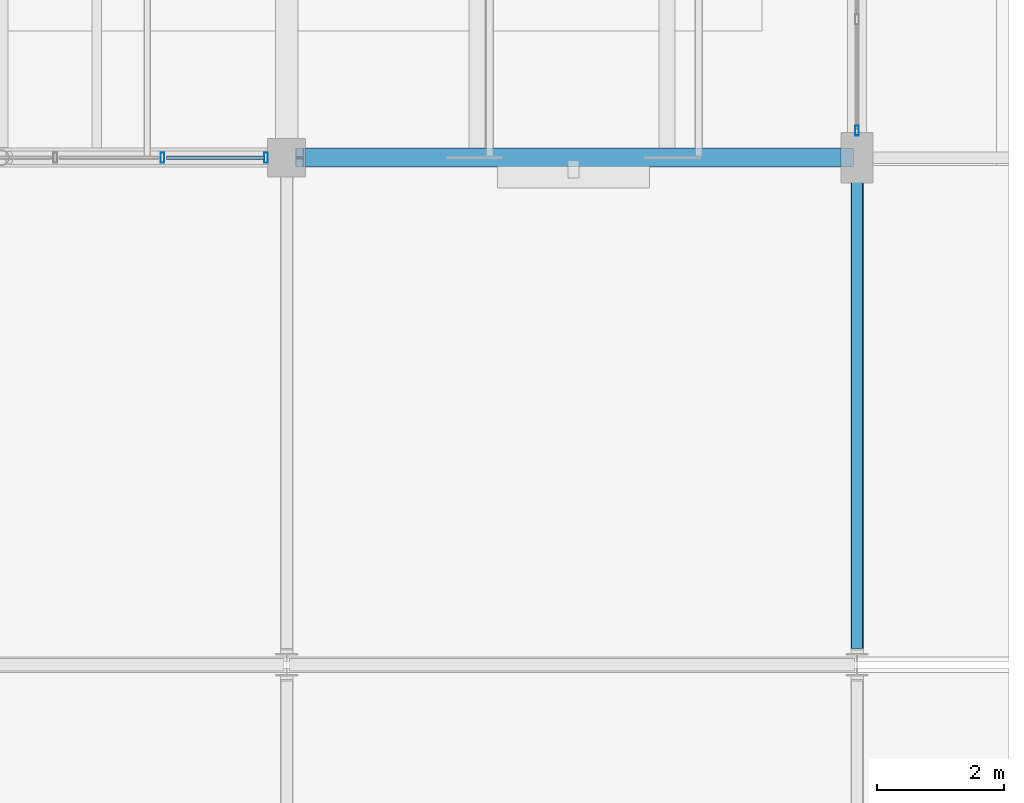
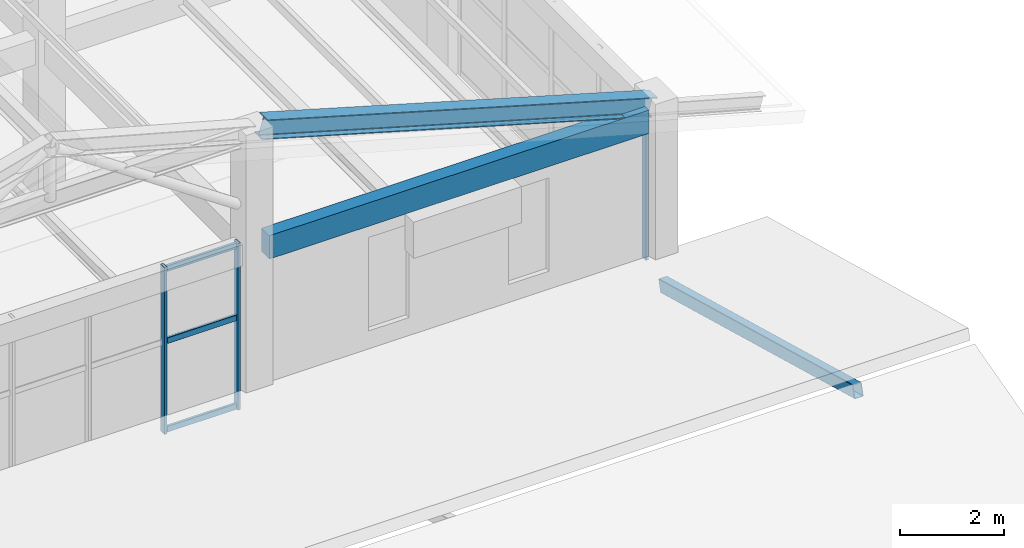
# One storey, part 28 of 58: 7 members, 2 beams, 2 elements without a shape of their own.
"""IFC4 building model written with IfcOpenShell, lengths in metres."""

import ifcopenshell
import ifcopenshell.guid

model = None  # the IFC model being written
_history = None  # IfcOwnerHistory: only IFC2X3 demands one
_inside = {}  # id of a spatial element -> (the spatial element, [elements in it])
_under = {}  # id of a project, library or spatial element -> (it, [spatial elements below it])
_declared = {}  # id of a project -> (the project, [libraries it declares])
_typed = {}  # id of a type object -> (the type object, [elements of that type])
_made_of = {}  # id of a material, layer set ... -> (it, [elements and type objects made of it])


def new_model(schema):
    """Start an empty IFC model of exactly this schema.

    Asked for "IFC4X3", IfcOpenShell would pick the latest addendum, in which some entities
    have other attributes; the version numbers below select the first issue.
    IFC2X3 requires an IfcOwnerHistory on every rooted entity: one is made here for all.
    """
    global model, _history
    if schema == "IFC4X3":
        model = ifcopenshell.file(schema_version=(4, 3, 0, 0))
    else:
        model = ifcopenshell.file(schema=schema)
    _inside.clear()
    _under.clear()
    _declared.clear()
    _typed.clear()
    _made_of.clear()
    _history = None
    if model.schema == "IFC2X3":
        org = make("IfcOrganization", Name="unknown")
        user = make(
            "IfcPersonAndOrganization",
            ThePerson=make("IfcPerson", FamilyName="unknown"),
            TheOrganization=org,
        )
        app = make(
            "IfcApplication",
            ApplicationDeveloper=org,
            Version="unknown",
            ApplicationFullName="unknown",
            ApplicationIdentifier="unknown",
        )
        _history = make(
            "IfcOwnerHistory",
            OwningUser=user,
            OwningApplication=app,
            ChangeAction="ADDED",
            CreationDate=0,
        )
    return model


def make(cls, **values):
    """One entity of the class cls with the attributes given. An attribute that is None is left unset."""
    return model.create_entity(
        cls, **{name: value for name, value in values.items() if value is not None}
    )


def rooted(cls, **values):
    """An entity with a GlobalId (a new one), such as an element, a storey or a relation."""
    return make(cls, GlobalId=ifcopenshell.guid.new(), OwnerHistory=_history, **values)


def si_unit(unit_type, name, prefix=None):
    """IfcSIUnit, for example si_unit("LENGTHUNIT", "METRE", prefix="MILLI")."""
    return make("IfcSIUnit", UnitType=unit_type, Prefix=prefix, Name=name)


def derived_unit(unit_type, elements):
    """IfcDerivedUnit: a product of units, each with its exponent."""
    return make(
        "IfcDerivedUnit",
        Elements=[
            make("IfcDerivedUnitElement", Unit=unit, Exponent=power)
            for unit, power in elements
        ],
        UnitType=unit_type,
    )


def assignment(units):
    """IfcUnitAssignment: the units of a project."""
    return None if units is None else make("IfcUnitAssignment", Units=units)


def point(xyz):
    """IfcCartesianPoint."""
    return None if xyz is None else make("IfcCartesianPoint", Coordinates=xyz)


def direction(xyz):
    """IfcDirection."""
    return None if xyz is None else make("IfcDirection", DirectionRatios=xyz)


def frame(location, z_axis=None, x_axis=None):
    """IfcAxis2Placement3D, a coordinate frame: its origin and axes. An axis left out is left unset."""
    return make(
        "IfcAxis2Placement3D",
        Location=point(location),
        Axis=direction(z_axis),
        RefDirection=direction(x_axis),
    )


def frame_2d(location, x_axis=None):
    """IfcAxis2Placement2D, a coordinate frame in the plane: its origin and x axis."""
    return make(
        "IfcAxis2Placement2D", Location=point(location), RefDirection=direction(x_axis)
    )


def origin():
    """The frame at (0, 0, 0) with its axes left unset."""
    return frame((0.0, 0.0, 0.0))


def origin_2d():
    """The frame at (0, 0) in the plane with its x axis left unset."""
    return frame_2d((0.0, 0.0))


def place(relative_to, where):
    """IfcLocalPlacement: puts the frame where relative to a parent placement (None: the world)."""
    return make(
        "IfcLocalPlacement", PlacementRelTo=relative_to, RelativePlacement=where
    )


def context(
    kind, dimensions, precision=None, world=None, true_north=None, identifier=None
):
    """IfcGeometricRepresentationContext, for example the 3D "Model" context."""
    return make(
        "IfcGeometricRepresentationContext",
        ContextIdentifier=identifier,
        ContextType=kind,
        CoordinateSpaceDimension=dimensions,
        Precision=precision,
        WorldCoordinateSystem=world,
        TrueNorth=true_north,
    )


def subcontext(parent, identifier, kind, view, scale=None):
    """IfcGeometricRepresentationSubContext, for example "Body" below "Model"."""
    return make(
        "IfcGeometricRepresentationSubContext",
        ContextIdentifier=identifier,
        ContextType=kind,
        ParentContext=parent,
        TargetScale=scale,
        TargetView=view,
    )


def project(units=None, contexts=None):
    """IfcProject with its units and contexts."""
    return rooted(
        "IfcProject",
        Name="project",
        RepresentationContexts=contexts,
        UnitsInContext=assignment(units),
    )


def spatial(cls, under=None, at=None, **own):
    """A site, building, storey or space (cls), placed at a placement, below another one or the project."""
    s = rooted(cls, ObjectPlacement=at, **own)
    if under is not None:
        _under.setdefault(under.id(), (under, []))[1].append(s)
    return s


def profile(cls, at=None, kind="AREA", **sizes):
    """A parametric profile (cls). Its sizes go by their IFC names, for example OverallWidth=200.0."""
    return make(cls, ProfileType=kind, Position=at, **sizes)


def rectangle(**sizes):
    """IfcRectangleProfileDef."""
    return profile("IfcRectangleProfileDef", **sizes)


def hollow_rectangle(**sizes):
    """IfcRectangleHollowProfileDef."""
    return profile("IfcRectangleHollowProfileDef", **sizes)


def i_section(**sizes):
    """IfcIShapeProfileDef."""
    return profile("IfcIShapeProfileDef", **sizes)


def extrude(swept, where, along, depth):
    """IfcExtrudedAreaSolid: the profile swept, set in the frame where, extruded along a direction by depth."""
    return make(
        "IfcExtrudedAreaSolid",
        SweptArea=swept,
        Position=where,
        ExtrudedDirection=direction(along),
        Depth=depth,
    )


def shape(context_of_items, identifier, shape_type, items):
    """IfcShapeRepresentation: the items that make up one representation, for example the "Body"."""
    return make(
        "IfcShapeRepresentation",
        ContextOfItems=context_of_items,
        RepresentationIdentifier=identifier,
        RepresentationType=shape_type,
        Items=items,
    )


def material(Name=None, Category=None):
    """IfcMaterial."""
    return make("IfcMaterial", Name=Name, Category=Category)


def material_profile(
    of_material, cross_section, Name=None, Category=None, Priority=None
):
    """IfcMaterialProfile: a cross section and its material."""
    return make(
        "IfcMaterialProfile",
        Name=Name,
        Material=of_material,
        Profile=cross_section,
        Priority=Priority,
        Category=Category,
    )


def profile_set(profiles, Name=None, composite=None):
    """IfcMaterialProfileSet."""
    return make(
        "IfcMaterialProfileSet",
        Name=Name,
        MaterialProfiles=profiles,
        CompositeProfile=composite,
    )


def made_of(thing, what):
    """Note that an element or type object is made of a material, layer set ...; save() writes the relation."""
    if what is not None:
        _made_of.setdefault(what.id(), (what, []))[1].append(thing)
    return thing


def type_object(cls, material=None, **own):
    """A type object (cls), such as IfcWallType, which elements share."""
    return made_of(rooted(cls, **own), material)


def element(
    cls,
    number,
    at=None,
    inside=None,
    cuts=None,
    type_object=None,
    material=None,
    context=None,
    identifier="Body",
    shape_type=None,
    held_by="IfcProductDefinitionShape",
    body=None,
    shapes=None,
    **own,
):
    """One element of the class cls, such as IfcWall. Its Tag is "e" and its number.

    at: its placement. inside: the storey or other place that contains it. cuts: it is an
    opening in that element (IfcRelVoidsElement). A single representation is given by context,
    identifier, shape_type and body (its items); several are given by shapes. held_by: the class
    of the entity that holds the representations. save() writes the other relations.
    """
    e = rooted(cls, Tag="e%d" % number, ObjectPlacement=at, **own)
    if body is not None:
        shapes = [shape(context, identifier, shape_type, body)]
    if shapes is not None:
        e.Representation = make(held_by, Representations=shapes)
    if inside is not None:
        _inside.setdefault(inside.id(), (inside, []))[1].append(e)
    if cuts is not None:
        rooted(
            "IfcRelVoidsElement", RelatingBuildingElement=cuts, RelatedOpeningElement=e
        )
    if type_object is not None:
        _typed.setdefault(type_object.id(), (type_object, []))[1].append(e)
    return made_of(e, material)


def aggregate(whole, parts):
    """IfcRelAggregates: a whole, such as a stair, and the parts it consists of."""
    return rooted("IfcRelAggregates", RelatingObject=whole, RelatedObjects=parts)


def save(model, path):
    """Write the relations noted so far, then the file.

    IfcRelAggregates (storeys below a building ...), IfcRelContainedInSpatialStructure (elements
    in a storey), IfcRelDefinesByType, IfcRelAssociatesMaterial and IfcRelDeclares: one each for
    every whole, place, type object, material and project.
    """
    for whole, parts in _under.values():
        aggregate(whole, parts)
    for where, things in _inside.values():
        rooted(
            "IfcRelContainedInSpatialStructure",
            RelatedElements=things,
            RelatingStructure=where,
        )
    for kind, things in _typed.values():
        rooted("IfcRelDefinesByType", RelatedObjects=things, RelatingType=kind)
    for what, things in _made_of.values():
        rooted("IfcRelAssociatesMaterial", RelatedObjects=things, RelatingMaterial=what)
    for by, libraries in _declared.values():
        rooted("IfcRelDeclares", RelatingContext=by, RelatedDefinitions=libraries)
    model.write(path)


model = new_model("IFC4")

# Units and contexts
model_context = context("Model", 3, precision=1e-05, world=origin(), true_north=direction((0.0, 1.0)))
body_context = subcontext(model_context, "Body", "Model", "MODEL_VIEW")
ifc_project = project(units=[si_unit("LENGTHUNIT", "METRE"), si_unit("AREAUNIT", "SQUARE_METRE"), si_unit("VOLUMEUNIT", "CUBIC_METRE"), si_unit("PLANEANGLEUNIT", "RADIAN"), si_unit("MASSUNIT", "GRAM", prefix="KILO"), derived_unit("THERMALTRANSMITTANCEUNIT", [(si_unit("MASSUNIT", "GRAM", prefix="KILO"), 1), (si_unit("TIMEUNIT", "SECOND"), -3), (si_unit("THERMODYNAMICTEMPERATUREUNIT", "KELVIN"), -1)])], contexts=[model_context])

# Site, building, storey
site_placement = place(None, origin())
site = spatial("IfcSite", under=ifc_project, at=site_placement, CompositionType="ELEMENT")
building_placement = place(site_placement, origin())
building = spatial("IfcBuilding", under=site, at=building_placement, Name="Zhenchuan Archway Interchange", CompositionType="ELEMENT")
storey_placement = place(building_placement, frame((0.0, 0.0, 22.800048828125)))
storey = spatial("IfcBuildingStorey", under=building, at=storey_placement, Name="L05", CompositionType="ELEMENT", Elevation=22.800048828125)

# Beam
ifc_material_1 = material(Name="Steel Q355", Category="steel")
ifc_material_profile_1 = material_profile(ifc_material_1, i_section(OverallWidth=0.300048828125, OverallDepth=0.43994140625, WebThickness=0.010986328125, FlangeThickness=0.01806640625, FilletRadius=0.02197265625, at=origin_2d()), Name="HM 440x300")
ifc_profile_set_1 = profile_set([ifc_material_profile_1], Name="Steel Q355")
beam_type_1 = type_object("IfcBeamType", Name="BM_STL_HM440", PredefinedType="BEAM", material=ifc_profile_set_1)
beam_1_placement = place(storey_placement, frame((162.199951171875, 24.0, 6.449951171875), z_axis=(0.960641143949, 0.0, -0.277792355102), x_axis=(0.0, 1.0, 0.0)))
element("IfcBeam", 1, at=beam_1_placement, inside=storey, type_object=beam_type_1, Name="ROOF TRUSS command wing T1 east lower rafter", PredefinedType="BEAM", context=body_context, shape_type="SweptSolid", body=[
    extrude(i_section(OverallWidth=0.300048828125, OverallDepth=0.43994140625, WebThickness=0.010986328125, FlangeThickness=0.01806640625, FilletRadius=0.02197265625, at=origin_2d()), origin(), (0.0, 0.0, 1.0), 9.03564453125),
])

# Curtain wall, members
ifc_material_2 = material(Name="Anodised Aluminium", Category="aluminium")
curtain_wall_type = type_object("IfcCurtainWallType", Name="CW_UNIT_1", PredefinedType="NOTDEFINED", material=ifc_material_2)
curtain_wall_1_placement = place(storey_placement, origin())
curtain_wall_1 = element("IfcCurtainWall", 2, at=curtain_wall_1_placement, inside=storey, type_object=curtain_wall_type, Name="Unitised curtain wall CW:L05:200", PredefinedType="NOTDEFINED")
ifc_material_profile_2 = material_profile(ifc_material_2, hollow_rectangle(XDim=0.06005859375, YDim=0.159912109375, WallThickness=0.00390625, InnerFilletRadius=0.00390625, OuterFilletRadius=0.008056640625, at=origin_2d()), Name="ALU 160x60x4")
ifc_profile_set_2 = profile_set([ifc_material_profile_2], Name="Anodised Aluminium")
member_type_1 = type_object("IfcMemberType", Name="CW_MUL_150", PredefinedType="MULLION", material=ifc_profile_set_2)
member_1_placement = place(storey_placement, frame((161.672119140625, 24.0, 0.0), z_axis=(0.0, 0.0, 1.0), x_axis=(1.0, 0.0, 0.0)))
member_1 = element("IfcMember", 3, at=member_1_placement, type_object=member_type_1, Name="CW:L05:200 mullion 0", PredefinedType="MULLION", context=body_context, shape_type="SweptSolid", body=[
    extrude(hollow_rectangle(XDim=0.06005859375, YDim=0.159912109375, WallThickness=0.00390625, InnerFilletRadius=0.00390625, OuterFilletRadius=0.008056640625, at=origin_2d()), origin(), (0.0, 0.0, 1.0), 3.919921875),
])
member_2_placement = place(storey_placement, frame((160.039306640625, 24.0, 0.0), z_axis=(0.0, 0.0, 1.0), x_axis=(1.0, 0.0, 0.0)))
member_2 = element("IfcMember", 4, at=member_2_placement, type_object=member_type_1, Name="CW:L05:200 mullion 1", PredefinedType="MULLION", context=body_context, shape_type="SweptSolid", body=[
    extrude(hollow_rectangle(XDim=0.06005859375, YDim=0.159912109375, WallThickness=0.00390625, InnerFilletRadius=0.00390625, OuterFilletRadius=0.008056640625, at=origin_2d()), origin(), (0.0, 0.0, 1.0), 3.919921875),
])

# Curtain wall, member
curtain_wall_2_placement = place(storey_placement, origin())
curtain_wall_2 = element("IfcCurtainWall", 5, at=curtain_wall_2_placement, inside=storey, type_object=curtain_wall_type, Name="Unitised curtain wall CW:L05:208", PredefinedType="NOTDEFINED")
member_3_placement = place(storey_placement, frame((171.0, 24.427978515625, 0.0), z_axis=(0.0, 0.0, 1.0), x_axis=(1.0, 0.0, 0.0)))
member_3 = element("IfcMember", 6, at=member_3_placement, type_object=member_type_1, Name="CW:L05:208 mullion 4", PredefinedType="MULLION", context=body_context, shape_type="SweptSolid", body=[
    extrude(hollow_rectangle(XDim=0.06005859375, YDim=0.159912109375, WallThickness=0.00390625, InnerFilletRadius=0.00390625, OuterFilletRadius=0.008056640625, at=origin_2d()), origin(), (0.0, 0.0, 1.0), 3.919921875),
])
aggregate(curtain_wall_2, [member_3])

# Member
ifc_material_profile_3 = material_profile(ifc_material_2, hollow_rectangle(XDim=0.06005859375, YDim=0.139892578125, WallThickness=0.00341796875, InnerFilletRadius=0.00341796875, OuterFilletRadius=0.007080078125, at=origin_2d()), Name="ALU 140x60x3.5")
ifc_profile_set_3 = profile_set([ifc_material_profile_3], Name="Anodised Aluminium")
member_type_2 = type_object("IfcMemberType", Name="CW_TRN_140", PredefinedType="USERDEFINED", material=ifc_profile_set_3)
member_4_placement = place(storey_placement, frame((161.652099609375, 24.0, 0.06005859375), z_axis=(-1.0, 0.0, 0.0), x_axis=(0.0, -1.0, 0.0)))
member_4 = element("IfcMember", 7, at=member_4_placement, type_object=member_type_2, Name="CW:L05:200 transom 0-1", ObjectType="TRANSOM", PredefinedType="USERDEFINED", context=body_context, shape_type="SweptSolid", body=[
    extrude(hollow_rectangle(XDim=0.06005859375, YDim=0.139892578125, WallThickness=0.00341796875, InnerFilletRadius=0.00341796875, OuterFilletRadius=0.007080078125, at=origin_2d()), origin(), (0.0, 0.0, 1.0), 1.552978515625),
])

member_5_placement = place(storey_placement, frame((161.652099609375, 24.0, 2.14501953125), z_axis=(-1.0, 0.0, 0.0), x_axis=(0.0, -1.0, 0.0)))
member_5 = element("IfcMember", 8, at=member_5_placement, type_object=member_type_2, Name="CW:L05:200 transom 0-2", ObjectType="TRANSOM", PredefinedType="USERDEFINED", context=body_context, shape_type="SweptSolid", body=[
    extrude(hollow_rectangle(XDim=0.06005859375, YDim=0.139892578125, WallThickness=0.00341796875, InnerFilletRadius=0.00341796875, OuterFilletRadius=0.007080078125, at=origin_2d()), origin(), (0.0, 0.0, 1.0), 1.552978515625),
])

member_6_placement = place(storey_placement, frame((161.652099609375, 24.0, 3.83984375), z_axis=(-1.0, 0.0, 0.0), x_axis=(0.0, -1.0, 0.0)))
member_6 = element("IfcMember", 9, at=member_6_placement, type_object=member_type_2, Name="CW:L05:200 transom 0-3", ObjectType="TRANSOM", PredefinedType="USERDEFINED", context=body_context, shape_type="SweptSolid", body=[
    extrude(hollow_rectangle(XDim=0.06005859375, YDim=0.139892578125, WallThickness=0.00341796875, InnerFilletRadius=0.00341796875, OuterFilletRadius=0.007080078125, at=origin_2d()), origin(), (0.0, 0.0, 1.0), 1.552978515625),
])

aggregate(curtain_wall_1, [member_1, member_2, member_4, member_5, member_6])

ifc_material_profile_4 = material_profile(ifc_material_1, hollow_rectangle(XDim=0.199951171875, YDim=0.300048828125, WallThickness=0.010009765625, InnerFilletRadius=0.010009765625, OuterFilletRadius=0.02001953125, at=origin_2d()), Name="RHS 300x200x10")
ifc_profile_set_4 = profile_set([ifc_material_profile_4], Name="Steel Q355")
member_type_3 = type_object("IfcMemberType", Name="MB_RHS300", PredefinedType="CHORD", material=ifc_profile_set_4)
member_7_placement = place(storey_placement, frame((171.0, 16.219970703125, 1.85986328125), z_axis=(0.0, 0.964770361033, -0.263093425368), x_axis=(-1.0, 0.0, 0.0)))
element("IfcMember", 10, at=member_7_placement, inside=storey, type_object=member_type_3, Name="East bar S rafter X171-2", PredefinedType="CHORD", context=body_context, shape_type="SweptSolid", body=[
    extrude(hollow_rectangle(XDim=0.199951171875, YDim=0.300048828125, WallThickness=0.010009765625, InnerFilletRadius=0.010009765625, OuterFilletRadius=0.02001953125, at=origin_2d()), origin(), (0.0, 0.0, 1.0), 7.753173828125),
])

# Beam
ifc_material_3 = material(Name="Concrete C40", Category="concrete")
ifc_material_profile_5 = material_profile(ifc_material_3, rectangle(XDim=0.300048828125, YDim=0.550048828125, at=origin_2d()), Name="RC 300x550")
ifc_profile_set_5 = profile_set([ifc_material_profile_5], Name="Concrete C40")
beam_type_2 = type_object("IfcBeamType", Name="SP_RC_300x550", PredefinedType="SPANDREL", material=ifc_profile_set_5)
beam_2_placement = place(storey_placement, frame((162.300048828125, 24.0, 3.64501953125), z_axis=(1.0, 0.0, 0.0), x_axis=(0.0, 1.0, 0.0)))
element("IfcBeam", 11, at=beam_2_placement, inside=storey, type_object=beam_type_2, Name="Beam D:19-20 (L05)", PredefinedType="SPANDREL", context=body_context, shape_type="SweptSolid", body=[
    extrude(rectangle(XDim=0.300048828125, YDim=0.550048828125, at=origin_2d()), origin(), (0.0, 0.0, 1.0), 8.449951171875),
])

save(model, "model.ifc")
